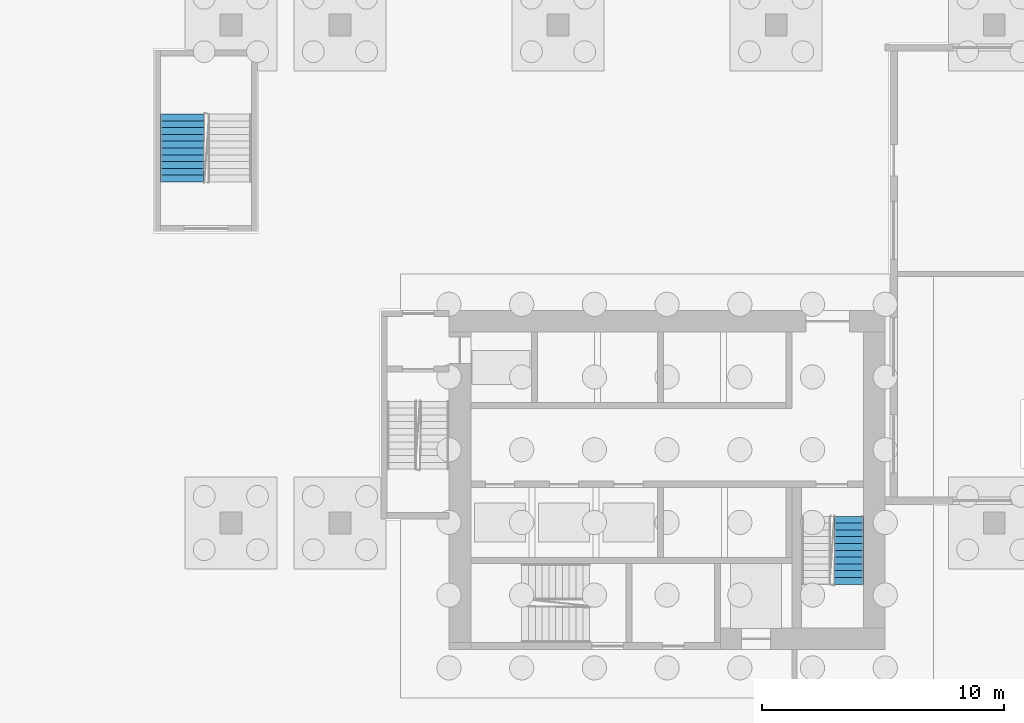
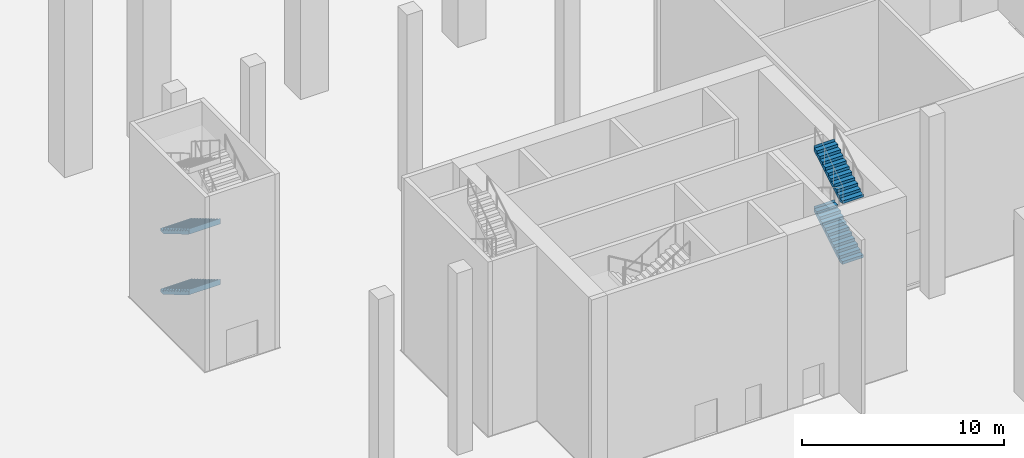
# One storey, part 14 of 26: 4 stair flights, 2 elements without a shape of their own.
"""IFC4 building model written with IfcOpenShell, lengths in metres."""

from ifc_helpers import new_model, si_unit, direction, frame, origin, place, context, subcontext, project, spatial, faceted_brep, material, type_object, element, aggregate, save


model = new_model("IFC4")

# Units and contexts
model_context = context("Model", 3, precision=1e-05, world=origin(), true_north=direction((0.0, 1.0)))
body_context = subcontext(model_context, "Body", "Model", "MODEL_VIEW")
ifc_project = project(units=[si_unit("LENGTHUNIT", "METRE"), si_unit("AREAUNIT", "SQUARE_METRE"), si_unit("VOLUMEUNIT", "CUBIC_METRE"), si_unit("PLANEANGLEUNIT", "RADIAN"), si_unit("MASSUNIT", "GRAM", prefix="KILO")], contexts=[model_context])

# Site, building, storey
site_placement = place(None, origin())
site = spatial("IfcSite", under=ifc_project, at=site_placement, CompositionType="ELEMENT")
building_placement = place(site_placement, origin())
building = spatial("IfcBuilding", under=site, at=building_placement, Name="Kajstack Hotel Tower", CompositionType="ELEMENT")
storey_placement = place(building_placement, origin())
storey = spatial("IfcBuildingStorey", under=building, at=storey_placement, Name="L00", CompositionType="ELEMENT", Elevation=0.0)

# Stair, stair flights
ifc_material = material(Name="Concrete C40/50", Category="concrete")
stair_type_1 = type_object("IfcStairType", Name="Escape stair 1800", PredefinedType="HALF_TURN_STAIR", material=ifc_material)
stair_1_placement = place(storey_placement, origin())
stair_1 = element("IfcStair", 1, at=stair_1_placement, inside=storey, type_object=stair_type_1, Name="L00 stair P1", PredefinedType="HALF_TURN_STAIR")
stair_flight_type_1 = type_object("IfcStairFlightType", Name="Escape stair flight 1800", PredefinedType="STRAIGHT", material=ifc_material)
stair_flight_1_placement = place(storey_placement, frame((-42.5, 6.60009765625, 1.833251953125), z_axis=(0.0, 0.0, 1.0), x_axis=(0.0, -1.0, 0.0)))
stair_flight_1 = element("IfcStairFlight", 2, at=stair_flight_1_placement, type_object=stair_flight_type_1, Name="P1 flight 2", NumberOfRisers=11, NumberOfTreads=10, PredefinedType="STRAIGHT", RiserHeight=0.166666667, TreadLength=0.28, context=body_context, shape_type="Brep", body=[
    faceted_brep([(0.29345703125, -0.89990234375, 0.0), (2.800537109375, -0.89990234375, 1.4921875), (2.800537109375, -0.89990234375, 1.833251953125), (2.800048828125, -0.89990234375, 1.833251953125), (2.800048828125, -0.89990234375, 1.666748046875), (2.52001953125, -0.89990234375, 1.666748046875), (2.52001953125, -0.89990234375, 1.5), (2.239990234375, -0.89990234375, 1.5), (2.239990234375, -0.89990234375, 1.333251953125), (1.9599609375, -0.89990234375, 1.333251953125), (1.9599609375, -0.89990234375, 1.166748046875), (1.679931640625, -0.89990234375, 1.166748046875), (1.679931640625, -0.89990234375, 1.0), (1.39990234375, -0.89990234375, 1.0), (1.39990234375, -0.89990234375, 0.833251953125), (1.1201171875, -0.89990234375, 0.833251953125), (1.1201171875, -0.89990234375, 0.666748046875), (0.840087890625, -0.89990234375, 0.666748046875), (0.840087890625, -0.89990234375, 0.5), (0.56005859375, -0.89990234375, 0.5), (0.56005859375, -0.89990234375, 0.333251953125), (0.280029296875, -0.89990234375, 0.333251953125), (0.280029296875, -0.89990234375, 0.166748046875), (-0.00048828125, -0.89990234375, 0.166748046875), (-0.00048828125, -0.89990234375, 0.0), (-0.00048828125, 0.89990234375, 0.0), (-0.00048828125, 0.89990234375, 0.166748046875), (0.280029296875, 0.89990234375, 0.166748046875), (0.280029296875, 0.89990234375, 0.333251953125), (0.56005859375, 0.89990234375, 0.333251953125), (0.56005859375, 0.89990234375, 0.5), (0.840087890625, 0.89990234375, 0.5), (0.840087890625, 0.89990234375, 0.666748046875), (1.1201171875, 0.89990234375, 0.666748046875), (1.1201171875, 0.89990234375, 0.833251953125), (1.39990234375, 0.89990234375, 0.833251953125), (1.39990234375, 0.89990234375, 1.0), (1.679931640625, 0.89990234375, 1.0), (1.679931640625, 0.89990234375, 1.166748046875), (1.9599609375, 0.89990234375, 1.166748046875), (1.9599609375, 0.89990234375, 1.333251953125), (2.239990234375, 0.89990234375, 1.333251953125), (2.239990234375, 0.89990234375, 1.5), (2.52001953125, 0.89990234375, 1.5), (2.52001953125, 0.89990234375, 1.666748046875), (2.800048828125, 0.89990234375, 1.666748046875), (2.800048828125, 0.89990234375, 1.833251953125), (2.800537109375, 0.89990234375, 1.833251953125), (2.800537109375, 0.89990234375, 1.4921875), (0.29345703125, 0.89990234375, 0.0), (-0.00048828125, -0.449951171875, 0.166748046875), (-0.00048828125, 0.0, 0.166748046875), (-0.00048828125, 0.449951171875, 0.166748046875), (-0.00048828125, 0.449951171875, 0.0), (-0.00048828125, 0.0, 0.0), (-0.00048828125, -0.449951171875, 0.0), (0.280029296875, -0.449951171875, 0.166748046875), (0.280029296875, 0.0, 0.166748046875), (0.280029296875, 0.449951171875, 0.166748046875), (0.280029296875, -0.449951171875, 0.333251953125), (0.280029296875, 0.0, 0.333251953125), (0.280029296875, 0.449951171875, 0.333251953125), (0.56005859375, -0.449951171875, 0.333251953125), (0.56005859375, 0.0, 0.333251953125), (0.56005859375, 0.449951171875, 0.333251953125), (0.56005859375, -0.449951171875, 0.5), (0.56005859375, 0.0, 0.5), (0.56005859375, 0.449951171875, 0.5), (0.840087890625, -0.449951171875, 0.5), (0.840087890625, 0.0, 0.5), (0.840087890625, 0.449951171875, 0.5), (0.840087890625, -0.449951171875, 0.666748046875), (0.840087890625, 0.0, 0.666748046875), (0.840087890625, 0.449951171875, 0.666748046875), (1.1201171875, -0.449951171875, 0.666748046875), (1.1201171875, 0.0, 0.666748046875), (1.1201171875, 0.449951171875, 0.666748046875), (1.1201171875, -0.449951171875, 0.833251953125), (1.1201171875, 0.0, 0.833251953125), (1.1201171875, 0.449951171875, 0.833251953125), (1.39990234375, -0.449951171875, 0.833251953125), (1.39990234375, 0.0, 0.833251953125), (1.39990234375, 0.449951171875, 0.833251953125), (1.39990234375, -0.449951171875, 1.0), (1.39990234375, 0.0, 1.0), (1.39990234375, 0.449951171875, 1.0), (1.679931640625, -0.449951171875, 1.0), (1.679931640625, 0.0, 1.0), (1.679931640625, 0.449951171875, 1.0), (1.679931640625, -0.449951171875, 1.166748046875), (1.679931640625, 0.0, 1.166748046875), (1.679931640625, 0.449951171875, 1.166748046875), (1.9599609375, -0.449951171875, 1.166748046875), (1.9599609375, 0.0, 1.166748046875), (1.9599609375, 0.449951171875, 1.166748046875), (1.9599609375, -0.449951171875, 1.333251953125), (1.9599609375, 0.0, 1.333251953125), (1.9599609375, 0.449951171875, 1.333251953125), (2.239990234375, -0.449951171875, 1.333251953125), (2.239990234375, 0.0, 1.333251953125), (2.239990234375, 0.449951171875, 1.333251953125), (2.239990234375, -0.449951171875, 1.5), (2.239990234375, 0.0, 1.5), (2.239990234375, 0.449951171875, 1.5), (2.52001953125, -0.449951171875, 1.5), (2.52001953125, 0.0, 1.5), (2.52001953125, 0.449951171875, 1.5), (2.52001953125, -0.449951171875, 1.666748046875), (2.52001953125, 0.0, 1.666748046875), (2.52001953125, 0.449951171875, 1.666748046875), (2.800048828125, -0.449951171875, 1.666748046875), (2.800048828125, 0.0, 1.666748046875), (2.800048828125, 0.449951171875, 1.666748046875), (2.800048828125, -0.449951171875, 1.833251953125), (2.800048828125, 0.0, 1.833251953125), (2.800048828125, 0.449951171875, 1.833251953125), (2.800537109375, -0.449951171875, 1.833251953125), (2.800537109375, 0.0, 1.833251953125), (2.800537109375, 0.449951171875, 1.833251953125), (2.800537109375, -0.449951171875, 1.4921875), (2.800537109375, 0.0, 1.4921875), (2.800537109375, 0.449951171875, 1.4921875), (0.29345703125, -0.449951171875, 0.0), (0.29345703125, 0.0, 0.0), (0.29345703125, 0.449951171875, 0.0)], [[[0, 1, 2, 3, 4, 5, 6, 7, 8, 9, 10, 11, 12, 13, 14, 15, 16, 17, 18, 19, 20, 21, 22, 23, 24]], [[25, 26, 27, 28, 29, 30, 31, 32, 33, 34, 35, 36, 37, 38, 39, 40, 41, 42, 43, 44, 45, 46, 47, 48, 49]], [[23, 50, 51, 52, 26, 25, 53, 54, 55, 24]], [[22, 56, 57, 58, 27, 26, 52, 51, 50, 23]], [[21, 59, 60, 61, 28, 27, 58, 57, 56, 22]], [[20, 62, 63, 64, 29, 28, 61, 60, 59, 21]], [[19, 65, 66, 67, 30, 29, 64, 63, 62, 20]], [[18, 68, 69, 70, 31, 30, 67, 66, 65, 19]], [[17, 71, 72, 73, 32, 31, 70, 69, 68, 18]], [[16, 74, 75, 76, 33, 32, 73, 72, 71, 17]], [[15, 77, 78, 79, 34, 33, 76, 75, 74, 16]], [[14, 80, 81, 82, 35, 34, 79, 78, 77, 15]], [[13, 83, 84, 85, 36, 35, 82, 81, 80, 14]], [[12, 86, 87, 88, 37, 36, 85, 84, 83, 13]], [[11, 89, 90, 91, 38, 37, 88, 87, 86, 12]], [[10, 92, 93, 94, 39, 38, 91, 90, 89, 11]], [[9, 95, 96, 97, 40, 39, 94, 93, 92, 10]], [[8, 98, 99, 100, 41, 40, 97, 96, 95, 9]], [[7, 101, 102, 103, 42, 41, 100, 99, 98, 8]], [[6, 104, 105, 106, 43, 42, 103, 102, 101, 7]], [[5, 107, 108, 109, 44, 43, 106, 105, 104, 6]], [[4, 110, 111, 112, 45, 44, 109, 108, 107, 5]], [[3, 113, 114, 115, 46, 45, 112, 111, 110, 4]], [[2, 116, 117, 118, 47, 46, 115, 114, 113, 3]], [[1, 119, 120, 121, 48, 47, 118, 117, 116, 2]], [[0, 122, 123, 124, 49, 48, 121, 120, 119, 1]], [[24, 55, 54, 53, 25, 49, 124, 123, 122, 0]]]),
])
stair_flight_2_placement = place(storey_placement, frame((-42.5, 6.60009765625, 5.5), z_axis=(0.0, 0.0, 1.0), x_axis=(0.0, -1.0, 0.0)))
stair_flight_2 = element("IfcStairFlight", 3, at=stair_flight_2_placement, type_object=stair_flight_type_1, Name="P1 flight 4", NumberOfRisers=11, NumberOfTreads=10, PredefinedType="STRAIGHT", RiserHeight=0.166666667, TreadLength=0.28, context=body_context, shape_type="Brep", body=[
    faceted_brep([(0.29345703125, -0.89990234375, 0.0), (2.800537109375, -0.89990234375, 1.4921875), (2.800537109375, -0.89990234375, 1.833251953125), (2.800048828125, -0.89990234375, 1.833251953125), (2.800048828125, -0.89990234375, 1.666748046875), (2.52001953125, -0.89990234375, 1.666748046875), (2.52001953125, -0.89990234375, 1.5), (2.239990234375, -0.89990234375, 1.5), (2.239990234375, -0.89990234375, 1.333251953125), (1.9599609375, -0.89990234375, 1.333251953125), (1.9599609375, -0.89990234375, 1.166748046875), (1.679931640625, -0.89990234375, 1.166748046875), (1.679931640625, -0.89990234375, 1.0), (1.39990234375, -0.89990234375, 1.0), (1.39990234375, -0.89990234375, 0.833251953125), (1.1201171875, -0.89990234375, 0.833251953125), (1.1201171875, -0.89990234375, 0.666748046875), (0.840087890625, -0.89990234375, 0.666748046875), (0.840087890625, -0.89990234375, 0.5), (0.56005859375, -0.89990234375, 0.5), (0.56005859375, -0.89990234375, 0.333251953125), (0.280029296875, -0.89990234375, 0.333251953125), (0.280029296875, -0.89990234375, 0.166748046875), (-0.00048828125, -0.89990234375, 0.166748046875), (-0.00048828125, -0.89990234375, 0.0), (-0.00048828125, 0.89990234375, 0.0), (-0.00048828125, 0.89990234375, 0.166748046875), (0.280029296875, 0.89990234375, 0.166748046875), (0.280029296875, 0.89990234375, 0.333251953125), (0.56005859375, 0.89990234375, 0.333251953125), (0.56005859375, 0.89990234375, 0.5), (0.840087890625, 0.89990234375, 0.5), (0.840087890625, 0.89990234375, 0.666748046875), (1.1201171875, 0.89990234375, 0.666748046875), (1.1201171875, 0.89990234375, 0.833251953125), (1.39990234375, 0.89990234375, 0.833251953125), (1.39990234375, 0.89990234375, 1.0), (1.679931640625, 0.89990234375, 1.0), (1.679931640625, 0.89990234375, 1.166748046875), (1.9599609375, 0.89990234375, 1.166748046875), (1.9599609375, 0.89990234375, 1.333251953125), (2.239990234375, 0.89990234375, 1.333251953125), (2.239990234375, 0.89990234375, 1.5), (2.52001953125, 0.89990234375, 1.5), (2.52001953125, 0.89990234375, 1.666748046875), (2.800048828125, 0.89990234375, 1.666748046875), (2.800048828125, 0.89990234375, 1.833251953125), (2.800537109375, 0.89990234375, 1.833251953125), (2.800537109375, 0.89990234375, 1.4921875), (0.29345703125, 0.89990234375, 0.0), (-0.00048828125, -0.449951171875, 0.166748046875), (-0.00048828125, 0.0, 0.166748046875), (-0.00048828125, 0.449951171875, 0.166748046875), (-0.00048828125, 0.449951171875, 0.0), (-0.00048828125, 0.0, 0.0), (-0.00048828125, -0.449951171875, 0.0), (0.280029296875, -0.449951171875, 0.166748046875), (0.280029296875, 0.0, 0.166748046875), (0.280029296875, 0.449951171875, 0.166748046875), (0.280029296875, -0.449951171875, 0.333251953125), (0.280029296875, 0.0, 0.333251953125), (0.280029296875, 0.449951171875, 0.333251953125), (0.56005859375, -0.449951171875, 0.333251953125), (0.56005859375, 0.0, 0.333251953125), (0.56005859375, 0.449951171875, 0.333251953125), (0.56005859375, -0.449951171875, 0.5), (0.56005859375, 0.0, 0.5), (0.56005859375, 0.449951171875, 0.5), (0.840087890625, -0.449951171875, 0.5), (0.840087890625, 0.0, 0.5), (0.840087890625, 0.449951171875, 0.5), (0.840087890625, -0.449951171875, 0.666748046875), (0.840087890625, 0.0, 0.666748046875), (0.840087890625, 0.449951171875, 0.666748046875), (1.1201171875, -0.449951171875, 0.666748046875), (1.1201171875, 0.0, 0.666748046875), (1.1201171875, 0.449951171875, 0.666748046875), (1.1201171875, -0.449951171875, 0.833251953125), (1.1201171875, 0.0, 0.833251953125), (1.1201171875, 0.449951171875, 0.833251953125), (1.39990234375, -0.449951171875, 0.833251953125), (1.39990234375, 0.0, 0.833251953125), (1.39990234375, 0.449951171875, 0.833251953125), (1.39990234375, -0.449951171875, 1.0), (1.39990234375, 0.0, 1.0), (1.39990234375, 0.449951171875, 1.0), (1.679931640625, -0.449951171875, 1.0), (1.679931640625, 0.0, 1.0), (1.679931640625, 0.449951171875, 1.0), (1.679931640625, -0.449951171875, 1.166748046875), (1.679931640625, 0.0, 1.166748046875), (1.679931640625, 0.449951171875, 1.166748046875), (1.9599609375, -0.449951171875, 1.166748046875), (1.9599609375, 0.0, 1.166748046875), (1.9599609375, 0.449951171875, 1.166748046875), (1.9599609375, -0.449951171875, 1.333251953125), (1.9599609375, 0.0, 1.333251953125), (1.9599609375, 0.449951171875, 1.333251953125), (2.239990234375, -0.449951171875, 1.333251953125), (2.239990234375, 0.0, 1.333251953125), (2.239990234375, 0.449951171875, 1.333251953125), (2.239990234375, -0.449951171875, 1.5), (2.239990234375, 0.0, 1.5), (2.239990234375, 0.449951171875, 1.5), (2.52001953125, -0.449951171875, 1.5), (2.52001953125, 0.0, 1.5), (2.52001953125, 0.449951171875, 1.5), (2.52001953125, -0.449951171875, 1.666748046875), (2.52001953125, 0.0, 1.666748046875), (2.52001953125, 0.449951171875, 1.666748046875), (2.800048828125, -0.449951171875, 1.666748046875), (2.800048828125, 0.0, 1.666748046875), (2.800048828125, 0.449951171875, 1.666748046875), (2.800048828125, -0.449951171875, 1.833251953125), (2.800048828125, 0.0, 1.833251953125), (2.800048828125, 0.449951171875, 1.833251953125), (2.800537109375, -0.449951171875, 1.833251953125), (2.800537109375, 0.0, 1.833251953125), (2.800537109375, 0.449951171875, 1.833251953125), (2.800537109375, -0.449951171875, 1.4921875), (2.800537109375, 0.0, 1.4921875), (2.800537109375, 0.449951171875, 1.4921875), (0.29345703125, -0.449951171875, 0.0), (0.29345703125, 0.0, 0.0), (0.29345703125, 0.449951171875, 0.0)], [[[0, 1, 2, 3, 4, 5, 6, 7, 8, 9, 10, 11, 12, 13, 14, 15, 16, 17, 18, 19, 20, 21, 22, 23, 24]], [[25, 26, 27, 28, 29, 30, 31, 32, 33, 34, 35, 36, 37, 38, 39, 40, 41, 42, 43, 44, 45, 46, 47, 48, 49]], [[23, 50, 51, 52, 26, 25, 53, 54, 55, 24]], [[22, 56, 57, 58, 27, 26, 52, 51, 50, 23]], [[21, 59, 60, 61, 28, 27, 58, 57, 56, 22]], [[20, 62, 63, 64, 29, 28, 61, 60, 59, 21]], [[19, 65, 66, 67, 30, 29, 64, 63, 62, 20]], [[18, 68, 69, 70, 31, 30, 67, 66, 65, 19]], [[17, 71, 72, 73, 32, 31, 70, 69, 68, 18]], [[16, 74, 75, 76, 33, 32, 73, 72, 71, 17]], [[15, 77, 78, 79, 34, 33, 76, 75, 74, 16]], [[14, 80, 81, 82, 35, 34, 79, 78, 77, 15]], [[13, 83, 84, 85, 36, 35, 82, 81, 80, 14]], [[12, 86, 87, 88, 37, 36, 85, 84, 83, 13]], [[11, 89, 90, 91, 38, 37, 88, 87, 86, 12]], [[10, 92, 93, 94, 39, 38, 91, 90, 89, 11]], [[9, 95, 96, 97, 40, 39, 94, 93, 92, 10]], [[8, 98, 99, 100, 41, 40, 97, 96, 95, 9]], [[7, 101, 102, 103, 42, 41, 100, 99, 98, 8]], [[6, 104, 105, 106, 43, 42, 103, 102, 101, 7]], [[5, 107, 108, 109, 44, 43, 106, 105, 104, 6]], [[4, 110, 111, 112, 45, 44, 109, 108, 107, 5]], [[3, 113, 114, 115, 46, 45, 112, 111, 110, 4]], [[2, 116, 117, 118, 47, 46, 115, 114, 113, 3]], [[1, 119, 120, 121, 48, 47, 118, 117, 116, 2]], [[0, 122, 123, 124, 49, 48, 121, 120, 119, 1]], [[24, 55, 54, 53, 25, 49, 124, 123, 122, 0]]]),
])
aggregate(stair_1, [stair_flight_1, stair_flight_2])

stair_type_2 = type_object("IfcStairType", Name="Exit stair 1200", PredefinedType="HALF_TURN_STAIR", material=ifc_material)
stair_2_placement = place(storey_placement, origin())
stair_2 = element("IfcStair", 4, at=stair_2_placement, inside=storey, type_object=stair_type_2, Name="L00 stair W2", PredefinedType="HALF_TURN_STAIR")
stair_flight_type_2 = type_object("IfcStairFlightType", Name="Exit stair flight 1200", PredefinedType="STRAIGHT", material=ifc_material)
stair_flight_3_placement = place(storey_placement, frame((-15.0, -12.800048828125, 5.5), z_axis=(0.0, 0.0, 1.0), x_axis=(0.0, 1.0, 0.0)))
stair_flight_3 = element("IfcStairFlight", 5, at=stair_flight_3_placement, type_object=stair_flight_type_2, Name="W2 flight 4", NumberOfRisers=11, NumberOfTreads=10, PredefinedType="STRAIGHT", RiserHeight=0.166666667, TreadLength=0.28, context=body_context, shape_type="Brep", body=[
    faceted_brep([(0.29345703125, -0.60009765625, 0.0), (2.800537109375, -0.60009765625, 1.4921875), (2.800537109375, -0.60009765625, 1.833251953125), (2.800048828125, -0.60009765625, 1.833251953125), (2.800048828125, -0.60009765625, 1.666748046875), (2.52001953125, -0.60009765625, 1.666748046875), (2.52001953125, -0.60009765625, 1.5), (2.239990234375, -0.60009765625, 1.5), (2.239990234375, -0.60009765625, 1.333251953125), (1.9599609375, -0.60009765625, 1.333251953125), (1.9599609375, -0.60009765625, 1.166748046875), (1.679931640625, -0.60009765625, 1.166748046875), (1.679931640625, -0.60009765625, 1.0), (1.39990234375, -0.60009765625, 1.0), (1.39990234375, -0.60009765625, 0.833251953125), (1.1201171875, -0.60009765625, 0.833251953125), (1.1201171875, -0.60009765625, 0.666748046875), (0.840087890625, -0.60009765625, 0.666748046875), (0.840087890625, -0.60009765625, 0.5), (0.56005859375, -0.60009765625, 0.5), (0.56005859375, -0.60009765625, 0.333251953125), (0.280029296875, -0.60009765625, 0.333251953125), (0.280029296875, -0.60009765625, 0.166748046875), (-0.00048828125, -0.60009765625, 0.166748046875), (-0.00048828125, -0.60009765625, 0.0), (-0.00048828125, 0.60009765625, 0.0), (-0.00048828125, 0.60009765625, 0.166748046875), (0.280029296875, 0.60009765625, 0.166748046875), (0.280029296875, 0.60009765625, 0.333251953125), (0.56005859375, 0.60009765625, 0.333251953125), (0.56005859375, 0.60009765625, 0.5), (0.840087890625, 0.60009765625, 0.5), (0.840087890625, 0.60009765625, 0.666748046875), (1.1201171875, 0.60009765625, 0.666748046875), (1.1201171875, 0.60009765625, 0.833251953125), (1.39990234375, 0.60009765625, 0.833251953125), (1.39990234375, 0.60009765625, 1.0), (1.679931640625, 0.60009765625, 1.0), (1.679931640625, 0.60009765625, 1.166748046875), (1.9599609375, 0.60009765625, 1.166748046875), (1.9599609375, 0.60009765625, 1.333251953125), (2.239990234375, 0.60009765625, 1.333251953125), (2.239990234375, 0.60009765625, 1.5), (2.52001953125, 0.60009765625, 1.5), (2.52001953125, 0.60009765625, 1.666748046875), (2.800048828125, 0.60009765625, 1.666748046875), (2.800048828125, 0.60009765625, 1.833251953125), (2.800537109375, 0.60009765625, 1.833251953125), (2.800537109375, 0.60009765625, 1.4921875), (0.29345703125, 0.60009765625, 0.0), (-0.00048828125, -0.300048828125, 0.166748046875), (-0.00048828125, 0.0, 0.166748046875), (-0.00048828125, 0.300048828125, 0.166748046875), (-0.00048828125, 0.300048828125, 0.0), (-0.00048828125, 0.0, 0.0), (-0.00048828125, -0.300048828125, 0.0), (0.280029296875, -0.300048828125, 0.166748046875), (0.280029296875, 0.0, 0.166748046875), (0.280029296875, 0.300048828125, 0.166748046875), (0.280029296875, -0.300048828125, 0.333251953125), (0.280029296875, 0.0, 0.333251953125), (0.280029296875, 0.300048828125, 0.333251953125), (0.56005859375, -0.300048828125, 0.333251953125), (0.56005859375, 0.0, 0.333251953125), (0.56005859375, 0.300048828125, 0.333251953125), (0.56005859375, -0.300048828125, 0.5), (0.56005859375, 0.0, 0.5), (0.56005859375, 0.300048828125, 0.5), (0.840087890625, -0.300048828125, 0.5), (0.840087890625, 0.0, 0.5), (0.840087890625, 0.300048828125, 0.5), (0.840087890625, -0.300048828125, 0.666748046875), (0.840087890625, 0.0, 0.666748046875), (0.840087890625, 0.300048828125, 0.666748046875), (1.1201171875, -0.300048828125, 0.666748046875), (1.1201171875, 0.0, 0.666748046875), (1.1201171875, 0.300048828125, 0.666748046875), (1.1201171875, -0.300048828125, 0.833251953125), (1.1201171875, 0.0, 0.833251953125), (1.1201171875, 0.300048828125, 0.833251953125), (1.39990234375, -0.300048828125, 0.833251953125), (1.39990234375, 0.0, 0.833251953125), (1.39990234375, 0.300048828125, 0.833251953125), (1.39990234375, -0.300048828125, 1.0), (1.39990234375, 0.0, 1.0), (1.39990234375, 0.300048828125, 1.0), (1.679931640625, -0.300048828125, 1.0), (1.679931640625, 0.0, 1.0), (1.679931640625, 0.300048828125, 1.0), (1.679931640625, -0.300048828125, 1.166748046875), (1.679931640625, 0.0, 1.166748046875), (1.679931640625, 0.300048828125, 1.166748046875), (1.9599609375, -0.300048828125, 1.166748046875), (1.9599609375, 0.0, 1.166748046875), (1.9599609375, 0.300048828125, 1.166748046875), (1.9599609375, -0.300048828125, 1.333251953125), (1.9599609375, 0.0, 1.333251953125), (1.9599609375, 0.300048828125, 1.333251953125), (2.239990234375, -0.300048828125, 1.333251953125), (2.239990234375, 0.0, 1.333251953125), (2.239990234375, 0.300048828125, 1.333251953125), (2.239990234375, -0.300048828125, 1.5), (2.239990234375, 0.0, 1.5), (2.239990234375, 0.300048828125, 1.5), (2.52001953125, -0.300048828125, 1.5), (2.52001953125, 0.0, 1.5), (2.52001953125, 0.300048828125, 1.5), (2.52001953125, -0.300048828125, 1.666748046875), (2.52001953125, 0.0, 1.666748046875), (2.52001953125, 0.300048828125, 1.666748046875), (2.800048828125, -0.300048828125, 1.666748046875), (2.800048828125, 0.0, 1.666748046875), (2.800048828125, 0.300048828125, 1.666748046875), (2.800048828125, -0.300048828125, 1.833251953125), (2.800048828125, 0.0, 1.833251953125), (2.800048828125, 0.300048828125, 1.833251953125), (2.800537109375, -0.300048828125, 1.833251953125), (2.800537109375, 0.0, 1.833251953125), (2.800537109375, 0.300048828125, 1.833251953125), (2.800537109375, -0.300048828125, 1.4921875), (2.800537109375, 0.0, 1.4921875), (2.800537109375, 0.300048828125, 1.4921875), (0.29345703125, -0.300048828125, 0.0), (0.29345703125, 0.0, 0.0), (0.29345703125, 0.300048828125, 0.0)], [[[0, 1, 2, 3, 4, 5, 6, 7, 8, 9, 10, 11, 12, 13, 14, 15, 16, 17, 18, 19, 20, 21, 22, 23, 24]], [[25, 26, 27, 28, 29, 30, 31, 32, 33, 34, 35, 36, 37, 38, 39, 40, 41, 42, 43, 44, 45, 46, 47, 48, 49]], [[23, 50, 51, 52, 26, 25, 53, 54, 55, 24]], [[22, 56, 57, 58, 27, 26, 52, 51, 50, 23]], [[21, 59, 60, 61, 28, 27, 58, 57, 56, 22]], [[20, 62, 63, 64, 29, 28, 61, 60, 59, 21]], [[19, 65, 66, 67, 30, 29, 64, 63, 62, 20]], [[18, 68, 69, 70, 31, 30, 67, 66, 65, 19]], [[17, 71, 72, 73, 32, 31, 70, 69, 68, 18]], [[16, 74, 75, 76, 33, 32, 73, 72, 71, 17]], [[15, 77, 78, 79, 34, 33, 76, 75, 74, 16]], [[14, 80, 81, 82, 35, 34, 79, 78, 77, 15]], [[13, 83, 84, 85, 36, 35, 82, 81, 80, 14]], [[12, 86, 87, 88, 37, 36, 85, 84, 83, 13]], [[11, 89, 90, 91, 38, 37, 88, 87, 86, 12]], [[10, 92, 93, 94, 39, 38, 91, 90, 89, 11]], [[9, 95, 96, 97, 40, 39, 94, 93, 92, 10]], [[8, 98, 99, 100, 41, 40, 97, 96, 95, 9]], [[7, 101, 102, 103, 42, 41, 100, 99, 98, 8]], [[6, 104, 105, 106, 43, 42, 103, 102, 101, 7]], [[5, 107, 108, 109, 44, 43, 106, 105, 104, 6]], [[4, 110, 111, 112, 45, 44, 109, 108, 107, 5]], [[3, 113, 114, 115, 46, 45, 112, 111, 110, 4]], [[2, 116, 117, 118, 47, 46, 115, 114, 113, 3]], [[1, 119, 120, 121, 48, 47, 118, 117, 116, 2]], [[0, 122, 123, 124, 49, 48, 121, 120, 119, 1]], [[24, 55, 54, 53, 25, 49, 124, 123, 122, 0]]]),
])
stair_flight_4_placement = place(storey_placement, frame((-15.0, -12.800048828125, 9.166748046875), z_axis=(0.0, 0.0, 1.0), x_axis=(0.0, 1.0, 0.0)))
stair_flight_4 = element("IfcStairFlight", 6, at=stair_flight_4_placement, type_object=stair_flight_type_2, Name="W2 flight 6", NumberOfRisers=11, NumberOfTreads=10, PredefinedType="STRAIGHT", RiserHeight=0.166666667, TreadLength=0.28, context=body_context, shape_type="Brep", body=[
    faceted_brep([(0.29345703125, -0.60009765625, 0.0), (2.800537109375, -0.60009765625, 1.4921875), (2.800537109375, -0.60009765625, 1.833251953125), (2.800048828125, -0.60009765625, 1.833251953125), (2.800048828125, -0.60009765625, 1.666748046875), (2.52001953125, -0.60009765625, 1.666748046875), (2.52001953125, -0.60009765625, 1.5), (2.239990234375, -0.60009765625, 1.5), (2.239990234375, -0.60009765625, 1.333251953125), (1.9599609375, -0.60009765625, 1.333251953125), (1.9599609375, -0.60009765625, 1.166748046875), (1.679931640625, -0.60009765625, 1.166748046875), (1.679931640625, -0.60009765625, 1.0), (1.39990234375, -0.60009765625, 1.0), (1.39990234375, -0.60009765625, 0.833251953125), (1.1201171875, -0.60009765625, 0.833251953125), (1.1201171875, -0.60009765625, 0.666748046875), (0.840087890625, -0.60009765625, 0.666748046875), (0.840087890625, -0.60009765625, 0.5), (0.56005859375, -0.60009765625, 0.5), (0.56005859375, -0.60009765625, 0.333251953125), (0.280029296875, -0.60009765625, 0.333251953125), (0.280029296875, -0.60009765625, 0.166748046875), (-0.00048828125, -0.60009765625, 0.166748046875), (-0.00048828125, -0.60009765625, 0.0), (-0.00048828125, 0.60009765625, 0.0), (-0.00048828125, 0.60009765625, 0.166748046875), (0.280029296875, 0.60009765625, 0.166748046875), (0.280029296875, 0.60009765625, 0.333251953125), (0.56005859375, 0.60009765625, 0.333251953125), (0.56005859375, 0.60009765625, 0.5), (0.840087890625, 0.60009765625, 0.5), (0.840087890625, 0.60009765625, 0.666748046875), (1.1201171875, 0.60009765625, 0.666748046875), (1.1201171875, 0.60009765625, 0.833251953125), (1.39990234375, 0.60009765625, 0.833251953125), (1.39990234375, 0.60009765625, 1.0), (1.679931640625, 0.60009765625, 1.0), (1.679931640625, 0.60009765625, 1.166748046875), (1.9599609375, 0.60009765625, 1.166748046875), (1.9599609375, 0.60009765625, 1.333251953125), (2.239990234375, 0.60009765625, 1.333251953125), (2.239990234375, 0.60009765625, 1.5), (2.52001953125, 0.60009765625, 1.5), (2.52001953125, 0.60009765625, 1.666748046875), (2.800048828125, 0.60009765625, 1.666748046875), (2.800048828125, 0.60009765625, 1.833251953125), (2.800537109375, 0.60009765625, 1.833251953125), (2.800537109375, 0.60009765625, 1.4921875), (0.29345703125, 0.60009765625, 0.0), (-0.00048828125, -0.300048828125, 0.166748046875), (-0.00048828125, 0.0, 0.166748046875), (-0.00048828125, 0.300048828125, 0.166748046875), (-0.00048828125, 0.300048828125, 0.0), (-0.00048828125, 0.0, 0.0), (-0.00048828125, -0.300048828125, 0.0), (0.280029296875, -0.300048828125, 0.166748046875), (0.280029296875, 0.0, 0.166748046875), (0.280029296875, 0.300048828125, 0.166748046875), (0.280029296875, -0.300048828125, 0.333251953125), (0.280029296875, 0.0, 0.333251953125), (0.280029296875, 0.300048828125, 0.333251953125), (0.56005859375, -0.300048828125, 0.333251953125), (0.56005859375, 0.0, 0.333251953125), (0.56005859375, 0.300048828125, 0.333251953125), (0.56005859375, -0.300048828125, 0.5), (0.56005859375, 0.0, 0.5), (0.56005859375, 0.300048828125, 0.5), (0.840087890625, -0.300048828125, 0.5), (0.840087890625, 0.0, 0.5), (0.840087890625, 0.300048828125, 0.5), (0.840087890625, -0.300048828125, 0.666748046875), (0.840087890625, 0.0, 0.666748046875), (0.840087890625, 0.300048828125, 0.666748046875), (1.1201171875, -0.300048828125, 0.666748046875), (1.1201171875, 0.0, 0.666748046875), (1.1201171875, 0.300048828125, 0.666748046875), (1.1201171875, -0.300048828125, 0.833251953125), (1.1201171875, 0.0, 0.833251953125), (1.1201171875, 0.300048828125, 0.833251953125), (1.39990234375, -0.300048828125, 0.833251953125), (1.39990234375, 0.0, 0.833251953125), (1.39990234375, 0.300048828125, 0.833251953125), (1.39990234375, -0.300048828125, 1.0), (1.39990234375, 0.0, 1.0), (1.39990234375, 0.300048828125, 1.0), (1.679931640625, -0.300048828125, 1.0), (1.679931640625, 0.0, 1.0), (1.679931640625, 0.300048828125, 1.0), (1.679931640625, -0.300048828125, 1.166748046875), (1.679931640625, 0.0, 1.166748046875), (1.679931640625, 0.300048828125, 1.166748046875), (1.9599609375, -0.300048828125, 1.166748046875), (1.9599609375, 0.0, 1.166748046875), (1.9599609375, 0.300048828125, 1.166748046875), (1.9599609375, -0.300048828125, 1.333251953125), (1.9599609375, 0.0, 1.333251953125), (1.9599609375, 0.300048828125, 1.333251953125), (2.239990234375, -0.300048828125, 1.333251953125), (2.239990234375, 0.0, 1.333251953125), (2.239990234375, 0.300048828125, 1.333251953125), (2.239990234375, -0.300048828125, 1.5), (2.239990234375, 0.0, 1.5), (2.239990234375, 0.300048828125, 1.5), (2.52001953125, -0.300048828125, 1.5), (2.52001953125, 0.0, 1.5), (2.52001953125, 0.300048828125, 1.5), (2.52001953125, -0.300048828125, 1.666748046875), (2.52001953125, 0.0, 1.666748046875), (2.52001953125, 0.300048828125, 1.666748046875), (2.800048828125, -0.300048828125, 1.666748046875), (2.800048828125, 0.0, 1.666748046875), (2.800048828125, 0.300048828125, 1.666748046875), (2.800048828125, -0.300048828125, 1.833251953125), (2.800048828125, 0.0, 1.833251953125), (2.800048828125, 0.300048828125, 1.833251953125), (2.800537109375, -0.300048828125, 1.833251953125), (2.800537109375, 0.0, 1.833251953125), (2.800537109375, 0.300048828125, 1.833251953125), (2.800537109375, -0.300048828125, 1.4921875), (2.800537109375, 0.0, 1.4921875), (2.800537109375, 0.300048828125, 1.4921875), (0.29345703125, -0.300048828125, 0.0), (0.29345703125, 0.0, 0.0), (0.29345703125, 0.300048828125, 0.0)], [[[0, 1, 2, 3, 4, 5, 6, 7, 8, 9, 10, 11, 12, 13, 14, 15, 16, 17, 18, 19, 20, 21, 22, 23, 24]], [[25, 26, 27, 28, 29, 30, 31, 32, 33, 34, 35, 36, 37, 38, 39, 40, 41, 42, 43, 44, 45, 46, 47, 48, 49]], [[23, 50, 51, 52, 26, 25, 53, 54, 55, 24]], [[22, 56, 57, 58, 27, 26, 52, 51, 50, 23]], [[21, 59, 60, 61, 28, 27, 58, 57, 56, 22]], [[20, 62, 63, 64, 29, 28, 61, 60, 59, 21]], [[19, 65, 66, 67, 30, 29, 64, 63, 62, 20]], [[18, 68, 69, 70, 31, 30, 67, 66, 65, 19]], [[17, 71, 72, 73, 32, 31, 70, 69, 68, 18]], [[16, 74, 75, 76, 33, 32, 73, 72, 71, 17]], [[15, 77, 78, 79, 34, 33, 76, 75, 74, 16]], [[14, 80, 81, 82, 35, 34, 79, 78, 77, 15]], [[13, 83, 84, 85, 36, 35, 82, 81, 80, 14]], [[12, 86, 87, 88, 37, 36, 85, 84, 83, 13]], [[11, 89, 90, 91, 38, 37, 88, 87, 86, 12]], [[10, 92, 93, 94, 39, 38, 91, 90, 89, 11]], [[9, 95, 96, 97, 40, 39, 94, 93, 92, 10]], [[8, 98, 99, 100, 41, 40, 97, 96, 95, 9]], [[7, 101, 102, 103, 42, 41, 100, 99, 98, 8]], [[6, 104, 105, 106, 43, 42, 103, 102, 101, 7]], [[5, 107, 108, 109, 44, 43, 106, 105, 104, 6]], [[4, 110, 111, 112, 45, 44, 109, 108, 107, 5]], [[3, 113, 114, 115, 46, 45, 112, 111, 110, 4]], [[2, 116, 117, 118, 47, 46, 115, 114, 113, 3]], [[1, 119, 120, 121, 48, 47, 118, 117, 116, 2]], [[0, 122, 123, 124, 49, 48, 121, 120, 119, 1]], [[24, 55, 54, 53, 25, 49, 124, 123, 122, 0]]]),
])
aggregate(stair_2, [stair_flight_3, stair_flight_4])

save(model, "model.ifc")
